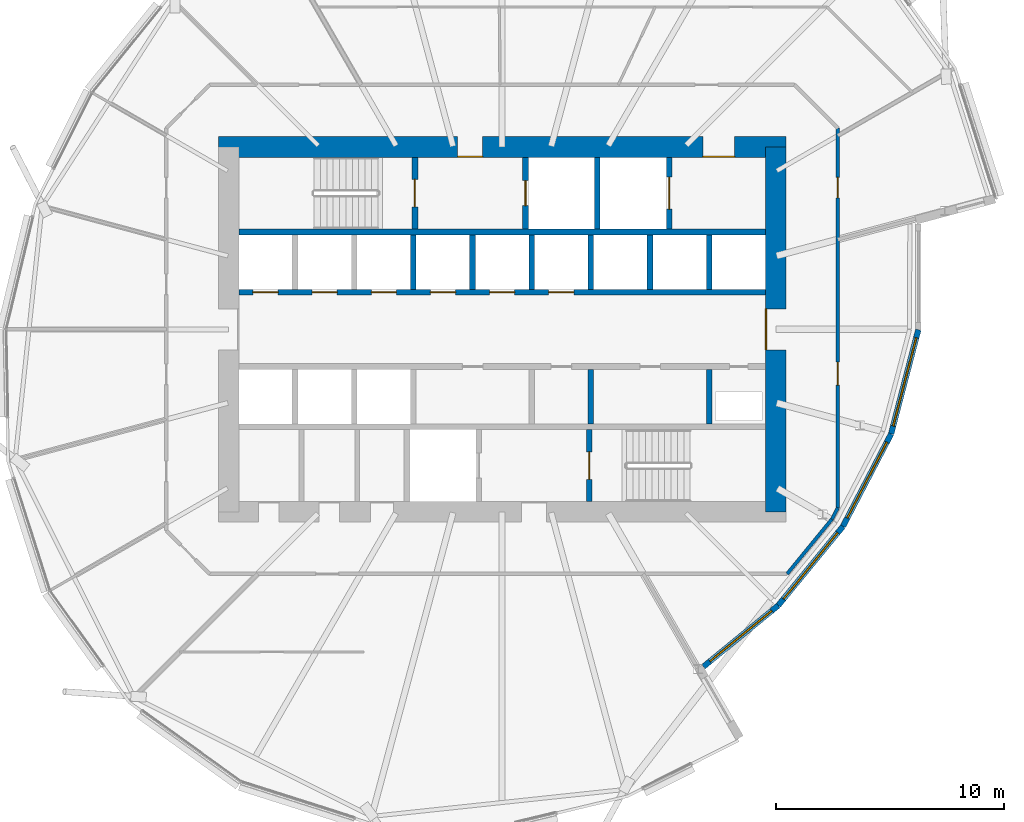
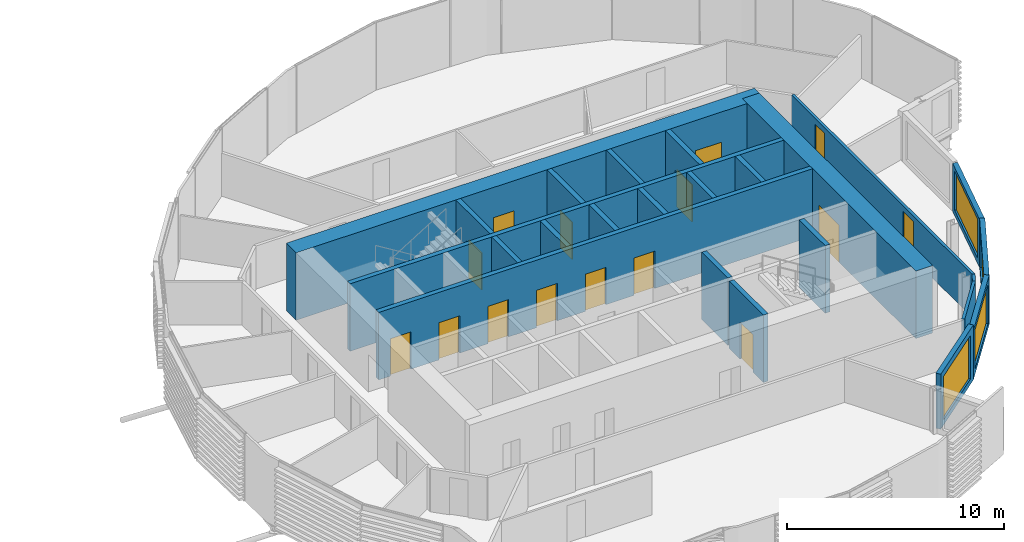
# One storey, part 25 of 37: 24 walls, 15 doors, 4 windows, 19 openings.
"""IFC4 building model written with IfcOpenShell, lengths in metres."""

from ifc_helpers import new_model, si_unit, direction, frame, frame_2d, origin, place, context, subcontext, project, spatial, rectangle, extrude, material, layer, layer_set, type_object, element, fill, save


model = new_model("IFC4")

# Units and contexts
model_context = context("Model", 3, precision=1e-05, world=origin(), true_north=direction((0.0, 1.0)))
body_context = subcontext(model_context, "Body", "Model", "MODEL_VIEW")
ifc_project = project(units=[si_unit("LENGTHUNIT", "METRE"), si_unit("AREAUNIT", "SQUARE_METRE"), si_unit("VOLUMEUNIT", "CUBIC_METRE"), si_unit("PLANEANGLEUNIT", "RADIAN"), si_unit("MASSUNIT", "GRAM", prefix="KILO")], contexts=[model_context])

# Site, building, storey
site_placement = place(None, origin())
site = spatial("IfcSite", under=ifc_project, at=site_placement, CompositionType="ELEMENT")
building_placement = place(site_placement, origin())
building = spatial("IfcBuilding", under=site, at=building_placement, Name="Rimbun Link Towers", CompositionType="ELEMENT")
storey_placement = place(building_placement, frame((0.0, 0.0, 60.39990234375)))
storey = spatial("IfcBuildingStorey", under=building, at=storey_placement, Name="L14", CompositionType="ELEMENT", Elevation=60.39990234375)

# Wall, opening, window
ifc_material_1 = material(Name="Dark enamelled glass spandrel on insulated aluminium backpan", Category="aluminium")
ifc_layer_1 = layer(ifc_material_1, 0.25)
ifc_layer_set_1 = layer_set([ifc_layer_1], Name="CS dark enamelled spandrel wall 250")
wall_type_1 = type_object("IfcWallType", Name="CS dark enamelled spandrel wall 250", PredefinedType="STANDARD", material=ifc_layer_set_1)
wall_1_placement = place(storey_placement, frame((43.859130859375, -12.109130859375, 0.0), z_axis=(0.0, 0.0, 1.0), x_axis=(-0.773862321131, -0.633353856809, 0.0)))
wall_1 = element("IfcWall", 1, at=wall_1_placement, inside=storey, type_object=wall_type_1, Name="Crease spandrel wall", PredefinedType="STANDARD", context=body_context, shape_type="SweptSolid", body=[
    extrude(rectangle(XDim=4.23779296875, YDim=0.25, at=frame_2d((2.118896484375, 0.0))), origin(), (0.0, 0.0, 1.0), 3.096923828125),
])
opening_1_placement = place(wall_1_placement, frame((0.368896484375, 0.0, 0.300048828125)))
opening_1 = element("IfcOpeningElement", 2, at=opening_1_placement, cuts=wall_1, Name="Opening WR35H245", PredefinedType="OPENING", context=body_context, shape_type="SweptSolid", body=[
    extrude(rectangle(XDim=3.5, YDim=2.449951171875, at=frame_2d((1.75, 1.22509765625))), frame((0.0, 0.135009765625, 0.0), z_axis=(0.0, -1.0, 0.0), x_axis=(1.0, 0.0, 0.0)), (0.0, 0.0, 1.0), 0.27001953125),
])
ifc_material_2 = material(Name="Aluminium framed fixed window, dark tinted low-e glass", Category="aluminium")
window_type_1 = type_object("IfcWindowType", Name="WR ribbon window 3500X2450", PartitioningType="SINGLE_PANEL", PredefinedType="WINDOW", material=ifc_material_2)
window_1_placement = place(opening_1_placement, origin())
window_1 = element("IfcWindow", 3, at=window_1_placement, inside=storey, type_object=window_type_1, Name="Crease ribbon window", OverallHeight=2.449951171875, OverallWidth=3.5, PartitioningType="SINGLE_PANEL", PredefinedType="WINDOW", context=body_context, shape_type="SweptSolid", body=[
    extrude(rectangle(XDim=3.5, YDim=2.449951171875, at=frame_2d((1.75, 1.22509765625))), frame((0.0, 0.030029296875, 0.0), z_axis=(0.0, -1.0, 0.0), x_axis=(1.0, 0.0, 0.0)), (0.0, 0.0, 1.0), 0.06005859375),
])
fill(opening_1, window_1)

wall_2_placement = place(storey_placement, frame((46.698974609375, -8.639404296875, 0.0), z_axis=(0.0, 0.0, 1.0), x_axis=(-0.633368246821, -0.773850543657, 0.0)))
wall_2 = element("IfcWall", 4, at=wall_2_placement, inside=storey, type_object=wall_type_1, Name="Crease spandrel wall", PredefinedType="STANDARD", context=body_context, shape_type="SweptSolid", body=[
    extrude(rectangle(XDim=4.483642578125, YDim=0.25, at=frame_2d((2.24169921875, 0.0))), origin(), (0.0, 0.0, 1.0), 2.78955078125),
])
opening_2_placement = place(wall_2_placement, frame((0.366943359375, 0.0, 0.300048828125)))
opening_2 = element("IfcOpeningElement", 5, at=opening_2_placement, cuts=wall_2, Name="Opening WR38H220", PredefinedType="OPENING", context=body_context, shape_type="SweptSolid", body=[
    extrude(rectangle(XDim=3.75, YDim=2.199951171875, at=frame_2d((1.875, 1.10009765625))), frame((0.0, 0.135009765625, 0.0), z_axis=(0.0, -1.0, 0.0), x_axis=(1.0, 0.0, 0.0)), (0.0, 0.0, 1.0), 0.27001953125),
])
ifc_material_3 = material(Name="Aluminium framed fixed window, dark tinted low-e glass", Category="aluminium")
window_type_2 = type_object("IfcWindowType", Name="WR ribbon window 3750X2200", PartitioningType="SINGLE_PANEL", PredefinedType="WINDOW", material=ifc_material_3)
window_2_placement = place(opening_2_placement, origin())
window_2 = element("IfcWindow", 6, at=window_2_placement, inside=storey, type_object=window_type_2, Name="Crease ribbon window", OverallHeight=2.199951171875, OverallWidth=3.75, PartitioningType="SINGLE_PANEL", PredefinedType="WINDOW", context=body_context, shape_type="SweptSolid", body=[
    extrude(rectangle(XDim=3.75, YDim=2.199951171875, at=frame_2d((1.875, 1.10009765625))), frame((0.0, 0.030029296875, 0.0), z_axis=(0.0, -1.0, 0.0), x_axis=(1.0, 0.0, 0.0)), (0.0, 0.0, 1.0), 0.06005859375),
])
fill(opening_2, window_2)

wall_3_placement = place(storey_placement, frame((48.811767578125, -4.58544921875, 0.0), z_axis=(0.0, 0.0, 1.0), x_axis=(-0.462168079919, -0.886792346552, 0.0)))
wall_3 = element("IfcWall", 7, at=wall_3_placement, inside=storey, type_object=wall_type_1, Name="Crease spandrel wall", PredefinedType="STANDARD", context=body_context, shape_type="SweptSolid", body=[
    extrude(rectangle(XDim=4.571533203125, YDim=0.25, at=frame_2d((2.28564453125, 0.0))), origin(), (0.0, 0.0, 1.0), 2.78955078125),
])
opening_3_placement = place(wall_3_placement, frame((0.41064453125, 0.0, 0.300048828125)))
opening_3 = element("IfcOpeningElement", 8, at=opening_3_placement, cuts=wall_3, Name="Opening WR38H220", PredefinedType="OPENING", context=body_context, shape_type="SweptSolid", body=[
    extrude(rectangle(XDim=3.75, YDim=2.199951171875, at=frame_2d((1.875, 1.10009765625))), frame((0.0, 0.135009765625, 0.0), z_axis=(0.0, -1.0, 0.0), x_axis=(1.0, 0.0, 0.0)), (0.0, 0.0, 1.0), 0.27001953125),
])
window_3_placement = place(opening_3_placement, origin())
window_3 = element("IfcWindow", 9, at=window_3_placement, inside=storey, type_object=window_type_2, Name="Crease ribbon window", OverallHeight=2.199951171875, OverallWidth=3.75, PartitioningType="SINGLE_PANEL", PredefinedType="WINDOW", context=body_context, shape_type="SweptSolid", body=[
    extrude(rectangle(XDim=3.75, YDim=2.199951171875, at=frame_2d((1.875, 1.10009765625))), frame((0.0, 0.030029296875, 0.0), z_axis=(0.0, -1.0, 0.0), x_axis=(1.0, 0.0, 0.0)), (0.0, 0.0, 1.0), 0.06005859375),
])
fill(opening_3, window_3)

wall_4_placement = place(storey_placement, frame((50.00537109375, -0.01611328125, 0.0), z_axis=(0.0, 0.0, 1.0), x_axis=(-0.252739651184, -0.967534324311, 0.0)))
wall_4 = element("IfcWall", 10, at=wall_4_placement, inside=storey, type_object=wall_type_1, Name="Crease spandrel wall", PredefinedType="STANDARD", context=body_context, shape_type="SweptSolid", body=[
    extrude(rectangle(XDim=4.72265625, YDim=0.25, at=frame_2d((2.361328125, 0.0))), origin(), (0.0, 0.0, 1.0), 2.711669921875),
])
opening_4_placement = place(wall_4_placement, frame((0.361328125, 0.0, 0.300048828125)))
opening_4 = element("IfcOpeningElement", 11, at=opening_4_placement, cuts=wall_4, Name="Opening WR40H220", PredefinedType="OPENING", context=body_context, shape_type="SweptSolid", body=[
    extrude(rectangle(XDim=4.0, YDim=2.199951171875, at=frame_2d((2.0, 1.10009765625))), frame((0.0, 0.135009765625, 0.0), z_axis=(0.0, -1.0, 0.0), x_axis=(1.0, 0.0, 0.0)), (0.0, 0.0, 1.0), 0.27001953125),
])
ifc_material_4 = material(Name="Aluminium framed fixed window, dark tinted low-e glass", Category="aluminium")
window_type_3 = type_object("IfcWindowType", Name="WR ribbon window 4000X2200", PartitioningType="SINGLE_PANEL", PredefinedType="WINDOW", material=ifc_material_4)
window_4_placement = place(opening_4_placement, origin())
window_4 = element("IfcWindow", 12, at=window_4_placement, inside=storey, type_object=window_type_3, Name="Crease ribbon window", OverallHeight=2.199951171875, OverallWidth=4.0, PartitioningType="SINGLE_PANEL", PredefinedType="WINDOW", context=body_context, shape_type="SweptSolid", body=[
    extrude(rectangle(XDim=4.0, YDim=2.199951171875, at=frame_2d((2.0, 1.10009765625))), frame((0.0, 0.030029296875, 0.0), z_axis=(0.0, -1.0, 0.0), x_axis=(1.0, 0.0, 0.0)), (0.0, 0.0, 1.0), 0.06005859375),
])
fill(opening_4, window_4)

# Wall, openings, doors
ifc_material_5 = material(Name="Concrete C60/75", Category="concrete")
ifc_layer_2 = layer(ifc_material_5, 0.89990234375)
ifc_layer_set_2 = layer_set([ifc_layer_2], Name="Core shear wall 900")
wall_type_2 = type_object("IfcWallType", Name="Core shear wall 900", PredefinedType="SHEAR", material=ifc_layer_set_2)
wall_5_placement = place(storey_placement, frame((19.300048828125, 8.0, 0.0), z_axis=(0.0, 0.0, 1.0), x_axis=(1.0, 0.0, 0.0)))
wall_5 = element("IfcWall", 13, at=wall_5_placement, inside=storey, type_object=wall_type_2, Name="L14 T2 core wall N", PredefinedType="SHEAR", context=body_context, shape_type="SweptSolid", body=[
    extrude(rectangle(XDim=24.89990234375, YDim=0.89990234375, at=frame_2d((12.449951171875, 0.0))), origin(), (0.0, 0.0, 1.0), 3.800048828125),
])
opening_5_placement = place(wall_5_placement, frame((10.5, 0.0, 0.0)))
opening_5 = element("IfcOpeningElement", 14, at=opening_5_placement, cuts=wall_5, Name="Opening C2DCF01N", PredefinedType="OPENING", context=body_context, shape_type="SweptSolid", body=[
    extrude(rectangle(XDim=1.10009765625, YDim=2.10009765625, at=frame_2d((0.550048828125, 1.050048828125))), frame((0.0, 0.4599609375, 0.0), z_axis=(0.0, -1.0, 0.0), x_axis=(1.0, 0.0, 0.0)), (0.0, 0.0, 1.0), 0.919921875),
])
opening_6_placement = place(wall_5_placement, frame((21.25, 0.0, 0.0)))
opening_6 = element("IfcOpeningElement", 15, at=opening_6_placement, cuts=wall_5, Name="Opening C2DSL02N", PredefinedType="OPENING", context=body_context, shape_type="SweptSolid", body=[
    extrude(rectangle(XDim=1.39990234375, YDim=2.10009765625, at=frame_2d((0.699951171875, 1.050048828125))), frame((0.0, 0.4599609375, 0.0), z_axis=(0.0, -1.0, 0.0), x_axis=(1.0, 0.0, 0.0)), (0.0, 0.0, 1.0), 0.919921875),
])
ifc_material_6 = material(Name="Steel fire door set", Category="steel")
door_type_1 = type_object("IfcDoorType", Name="Core fire door single", OperationType="SINGLE_SWING_LEFT", PredefinedType="DOOR", material=ifc_material_6)
door_1_placement = place(opening_5_placement, origin())
door_1 = element("IfcDoor", 16, at=door_1_placement, inside=storey, type_object=door_type_1, Name="L14 T2 firefighting lobby n door", OperationType="SINGLE_SWING_LEFT", OverallHeight=2.10009765625, OverallWidth=1.10009765625, PredefinedType="DOOR", context=body_context, shape_type="SweptSolid", body=[
    extrude(rectangle(XDim=1.10009765625, YDim=2.10009765625, at=frame_2d((0.550048828125, 1.050048828125))), frame((0.0, -0.39990234375, 0.0), z_axis=(0.0, -1.0, 0.0), x_axis=(1.0, 0.0, 0.0)), (0.0, 0.0, 1.0), 0.050048828125),
])
fill(opening_5, door_1)
ifc_material_7 = material(Name="Steel fire door set", Category="steel")
door_type_2 = type_object("IfcDoorType", Name="Service lobby door double", OperationType="DOUBLE_DOOR_SINGLE_SWING", PredefinedType="DOOR", material=ifc_material_7)
door_2_placement = place(opening_6_placement, origin())
door_2 = element("IfcDoor", 17, at=door_2_placement, inside=storey, type_object=door_type_2, Name="L14 T2 service lobby door", OperationType="DOUBLE_DOOR_SINGLE_SWING", OverallHeight=2.10009765625, OverallWidth=1.39990234375, PredefinedType="DOOR", context=body_context, shape_type="SweptSolid", body=[
    extrude(rectangle(XDim=1.39990234375, YDim=2.10009765625, at=frame_2d((0.699951171875, 1.050048828125))), frame((0.0, -0.39990234375, 0.0), z_axis=(0.0, -1.0, 0.0), x_axis=(1.0, 0.0, 0.0)), (0.0, 0.0, 1.0), 0.050048828125),
])
fill(opening_6, door_2)

# Wall, opening, door
wall_6_placement = place(storey_placement, frame((43.75, -8.0, 0.0), z_axis=(0.0, 0.0, 1.0), x_axis=(0.0, 1.0, 0.0)))
wall_6 = element("IfcWall", 18, at=wall_6_placement, inside=storey, type_object=wall_type_2, Name="L14 T2 core wall E", PredefinedType="SHEAR", context=body_context, shape_type="SweptSolid", body=[
    extrude(rectangle(XDim=16.0, YDim=0.89990234375, at=frame_2d((8.0, 0.0))), origin(), (0.0, 0.0, 1.0), 3.800048828125),
])
opening_7_placement = place(wall_6_placement, frame((7.10009765625, 0.0, 0.0)))
opening_7 = element("IfcOpeningElement", 19, at=opening_7_placement, cuts=wall_6, Name="Opening C2DCL01E", PredefinedType="OPENING", context=body_context, shape_type="SweptSolid", body=[
    extrude(rectangle(XDim=1.800048828125, YDim=2.10009765625, at=frame_2d((0.89990234375, 1.050048828125))), frame((0.0, 0.4599609375, 0.0), z_axis=(0.0, -1.0, 0.0), x_axis=(1.0, 0.0, 0.0)), (0.0, 0.0, 1.0), 0.919921875),
])
ifc_material_8 = material(Name="Steel fire door set", Category="steel")
door_type_3 = type_object("IfcDoorType", Name="Core lobby door double", OperationType="DOUBLE_DOOR_SINGLE_SWING", PredefinedType="DOOR", material=ifc_material_8)
door_3_placement = place(opening_7_placement, origin())
door_3 = element("IfcDoor", 20, at=door_3_placement, inside=storey, type_object=door_type_3, Name="L14 T2 lift lobby door", OperationType="DOUBLE_DOOR_SINGLE_SWING", OverallHeight=2.10009765625, OverallWidth=1.800048828125, PredefinedType="DOOR", context=body_context, shape_type="SweptSolid", body=[
    extrude(rectangle(XDim=1.800048828125, YDim=2.10009765625, at=frame_2d((0.89990234375, 1.050048828125))), frame((0.0, 0.4501953125, 0.0), z_axis=(0.0, -1.0, 0.0), x_axis=(1.0, 0.0, 0.0)), (0.0, 0.0, 1.0), 0.050048828125),
])
fill(opening_7, door_3)

# Wall, openings, doors
ifc_material_9 = material(Name="Plasterboard on steel stud, mineral wool", Category="steel")
ifc_layer_3 = layer(ifc_material_9, 0.14990234375)
ifc_layer_set_3 = layer_set([ifc_layer_3], Name="Corridor wall EI 30 150 mm")
wall_type_3 = type_object("IfcWallType", Name="Corridor wall EI 30 150 mm", PredefinedType="PARTITIONING", material=ifc_layer_set_3)
wall_7_placement = place(storey_placement, frame((46.47509765625, 8.82666015625, 0.0), z_axis=(0.0, 0.0, 1.0), x_axis=(0.0, -1.0, 0.0)))
wall_7 = element("IfcWall", 21, at=wall_7_placement, inside=storey, type_object=wall_type_3, Name="Corridor wall EI 30 150 mm", PredefinedType="PARTITIONING", context=body_context, shape_type="SweptSolid", body=[
    extrude(rectangle(XDim=16.651611328125, YDim=0.14990234375, at=frame_2d((8.32568359375, 0.0))), origin(), (0.0, 0.0, 1.0), 2.420166015625),
])
opening_8_placement = place(wall_7_placement, frame((2.1533203125, 0.0, 0.0)))
opening_8 = element("IfcOpeningElement", 22, at=opening_8_placement, cuts=wall_7, Name="Opening D02", PredefinedType="OPENING", context=body_context, shape_type="SweptSolid", body=[
    extrude(rectangle(XDim=0.89990234375, YDim=2.10009765625, at=frame_2d((0.449951171875, 1.050048828125))), frame((0.0, 0.0849609375, 0.0), z_axis=(0.0, -1.0, 0.0), x_axis=(1.0, 0.0, 0.0)), (0.0, 0.0, 1.0), 0.169921875),
])
opening_9_placement = place(wall_7_placement, frame((10.266357421875, 0.0, 0.0)))
opening_9 = element("IfcOpeningElement", 23, at=opening_9_placement, cuts=wall_7, Name="Opening D01", PredefinedType="OPENING", context=body_context, shape_type="SweptSolid", body=[
    extrude(rectangle(XDim=1.0, YDim=2.10009765625, at=frame_2d((0.5, 1.050048828125))), frame((0.0, 0.0849609375, 0.0), z_axis=(0.0, -1.0, 0.0), x_axis=(1.0, 0.0, 0.0)), (0.0, 0.0, 1.0), 0.169921875),
])
ifc_material_10 = material(Name="Fire-resisting timber door leaf", Category="wood")
door_type_4 = type_object("IfcDoorType", Name="Fire door FD30S 1000", OperationType="NOTDEFINED", PredefinedType="DOOR", material=ifc_material_10)
door_4_placement = place(opening_9_placement, origin())
door_4 = element("IfcDoor", 24, at=door_4_placement, inside=storey, type_object=door_type_4, Name="Fire door FD30S 1000 to Terrace office", OperationType="SINGLE_SWING_LEFT", OverallHeight=2.10009765625, OverallWidth=1.0, PredefinedType="DOOR", context=body_context, shape_type="SweptSolid", body=[
    extrude(rectangle(XDim=1.0, YDim=2.10009765625, at=frame_2d((0.5, 1.050048828125))), frame((0.0, 0.02490234375, 0.0), z_axis=(0.0, -1.0, 0.0), x_axis=(1.0, 0.0, 0.0)), (0.0, 0.0, 1.0), 0.050048828125),
])
fill(opening_9, door_4)
ifc_material_11 = material(Name="Fire-resisting timber door leaf", Category="wood")
door_type_5 = type_object("IfcDoorType", Name="Fire door FD30S 900", OperationType="NOTDEFINED", PredefinedType="DOOR", material=ifc_material_11)
door_5_placement = place(opening_8_placement, origin())
door_5 = element("IfcDoor", 25, at=door_5_placement, inside=storey, type_object=door_type_5, Name="Fire door FD30S 900 to Print room", OperationType="SINGLE_SWING_LEFT", OverallHeight=2.10009765625, OverallWidth=0.89990234375, PredefinedType="DOOR", context=body_context, shape_type="SweptSolid", body=[
    extrude(rectangle(XDim=0.89990234375, YDim=2.10009765625, at=frame_2d((0.449951171875, 1.050048828125))), frame((0.0, 0.02490234375, 0.0), z_axis=(0.0, -1.0, 0.0), x_axis=(1.0, 0.0, 0.0)), (0.0, 0.0, 1.0), 0.050048828125),
])
fill(opening_8, door_5)

# Walls
wall_8_placement = place(storey_placement, frame((46.21630859375, -8.321044921875, 0.0), z_axis=(0.0, 0.0, 1.0), x_axis=(0.462506359197, 0.886615964046, 0.0)))
element("IfcWall", 26, at=wall_8_placement, inside=storey, type_object=wall_type_3, Name="Corridor wall EI 30 150 mm", PredefinedType="PARTITIONING", context=body_context, shape_type="SweptSolid", body=[
    extrude(rectangle(XDim=0.5595703125, YDim=0.14990234375, at=frame_2d((0.27978515625, 0.0))), origin(), (0.0, 0.0, 1.0), 2.420166015625),
])
wall_9_placement = place(storey_placement, frame((44.248779296875, -10.72509765625, 0.0), z_axis=(0.0, 0.0, 1.0), x_axis=(0.63334905334, 0.773866252419, 0.0)))
element("IfcWall", 27, at=wall_9_placement, inside=storey, type_object=wall_type_3, Name="Corridor wall EI 30 150 mm", PredefinedType="PARTITIONING", context=body_context, shape_type="SweptSolid", body=[
    extrude(rectangle(XDim=3.1064453125, YDim=0.14990234375, at=frame_2d((1.55322265625, 0.0))), origin(), (0.0, 0.0, 1.0), 2.420166015625),
])
ifc_material_12 = material(Name="Concrete C60/75", Category="concrete")
ifc_layer_4 = layer(ifc_material_12, 0.25)
ifc_layer_set_4 = layer_set([ifc_layer_4], Name="Shaft wall 250")
wall_type_4 = type_object("IfcWallType", Name="Shaft wall 250", PredefinedType="SHEAR", material=ifc_layer_set_4)
wall_10_placement = place(storey_placement, frame((20.199951171875, 4.27490234375, 0.0), z_axis=(0.0, 0.0, 1.0), x_axis=(1.0, 0.0, 0.0)))
element("IfcWall", 28, at=wall_10_placement, inside=storey, type_object=wall_type_4, Name="L14 T2 core wall BN", PredefinedType="SHEAR", context=body_context, shape_type="SweptSolid", body=[
    extrude(rectangle(XDim=23.10009765625, YDim=0.25, at=frame_2d((11.550048828125, 0.0))), origin(), (0.0, 0.0, 1.0), 3.800048828125),
])

# Wall, openings, doors
wall_11_placement = place(storey_placement, frame((20.199951171875, 1.625, 0.0), z_axis=(0.0, 0.0, 1.0), x_axis=(1.0, 0.0, 0.0)))
wall_11 = element("IfcWall", 29, at=wall_11_placement, inside=storey, type_object=wall_type_4, Name="L14 T2 core wall FN", PredefinedType="SHEAR", context=body_context, shape_type="SweptSolid", body=[
    extrude(rectangle(XDim=23.10009765625, YDim=0.25, at=frame_2d((11.550048828125, 0.0))), origin(), (0.0, 0.0, 1.0), 3.800048828125),
])
opening_10_placement = place(wall_11_placement, frame((0.622314453125, 0.0, 0.0)))
opening_10 = element("IfcOpeningElement", 30, at=opening_10_placement, cuts=wall_11, Name="Opening LD-T2-LR1", PredefinedType="OPENING", context=body_context, shape_type="SweptSolid", body=[
    extrude(rectangle(XDim=1.10009765625, YDim=2.10009765625, at=frame_2d((0.550048828125, 1.050048828125))), frame((0.0, 0.135009765625, 0.0), z_axis=(0.0, -1.0, 0.0), x_axis=(1.0, 0.0, 0.0)), (0.0, 0.0, 1.0), 0.27001953125),
])
opening_11_placement = place(wall_11_placement, frame((3.216796875, 0.0, 0.0)))
opening_11 = element("IfcOpeningElement", 31, at=opening_11_placement, cuts=wall_11, Name="Opening LD-T2-LR2", PredefinedType="OPENING", context=body_context, shape_type="SweptSolid", body=[
    extrude(rectangle(XDim=1.10009765625, YDim=2.10009765625, at=frame_2d((0.550048828125, 1.050048828125))), frame((0.0, 0.135009765625, 0.0), z_axis=(0.0, -1.0, 0.0), x_axis=(1.0, 0.0, 0.0)), (0.0, 0.0, 1.0), 0.27001953125),
])
opening_12_placement = place(wall_11_placement, frame((5.81103515625, 0.0, 0.0)))
opening_12 = element("IfcOpeningElement", 32, at=opening_12_placement, cuts=wall_11, Name="Opening LD-T2-LR3", PredefinedType="OPENING", context=body_context, shape_type="SweptSolid", body=[
    extrude(rectangle(XDim=1.10009765625, YDim=2.10009765625, at=frame_2d((0.550048828125, 1.050048828125))), frame((0.0, 0.135009765625, 0.0), z_axis=(0.0, -1.0, 0.0), x_axis=(1.0, 0.0, 0.0)), (0.0, 0.0, 1.0), 0.27001953125),
])
opening_13_placement = place(wall_11_placement, frame((8.405517578125, 0.0, 0.0)))
opening_13 = element("IfcOpeningElement", 33, at=opening_13_placement, cuts=wall_11, Name="Opening LD-T2-LR4", PredefinedType="OPENING", context=body_context, shape_type="SweptSolid", body=[
    extrude(rectangle(XDim=1.10009765625, YDim=2.10009765625, at=frame_2d((0.550048828125, 1.050048828125))), frame((0.0, 0.135009765625, 0.0), z_axis=(0.0, -1.0, 0.0), x_axis=(1.0, 0.0, 0.0)), (0.0, 0.0, 1.0), 0.27001953125),
])
opening_14_placement = place(wall_11_placement, frame((11.0, 0.0, 0.0)))
opening_14 = element("IfcOpeningElement", 34, at=opening_14_placement, cuts=wall_11, Name="Opening LD-T2-LR5", PredefinedType="OPENING", context=body_context, shape_type="SweptSolid", body=[
    extrude(rectangle(XDim=1.10009765625, YDim=2.10009765625, at=frame_2d((0.550048828125, 1.050048828125))), frame((0.0, 0.135009765625, 0.0), z_axis=(0.0, -1.0, 0.0), x_axis=(1.0, 0.0, 0.0)), (0.0, 0.0, 1.0), 0.27001953125),
])
opening_15_placement = place(wall_11_placement, frame((13.594482421875, 0.0, 0.0)))
opening_15 = element("IfcOpeningElement", 35, at=opening_15_placement, cuts=wall_11, Name="Opening LD-T2-LR6", PredefinedType="OPENING", context=body_context, shape_type="SweptSolid", body=[
    extrude(rectangle(XDim=1.10009765625, YDim=2.10009765625, at=frame_2d((0.550048828125, 1.050048828125))), frame((0.0, 0.135009765625, 0.0), z_axis=(0.0, -1.0, 0.0), x_axis=(1.0, 0.0, 0.0)), (0.0, 0.0, 1.0), 0.27001953125),
])
ifc_material_13 = material(Name="Stainless steel grade 316", Category="steel")
door_type_6 = type_object("IfcDoorType", Name="Lift landing door", OperationType="DOUBLE_DOOR_SLIDING", PredefinedType="DOOR", material=ifc_material_13)
door_6_placement = place(opening_10_placement, origin())
door_6 = element("IfcDoor", 36, at=door_6_placement, inside=storey, type_object=door_type_6, Name="L14 T2 lift LR1 landing door", OperationType="DOUBLE_DOOR_SLIDING", OverallHeight=2.10009765625, OverallWidth=1.10009765625, PredefinedType="DOOR", context=body_context, shape_type="SweptSolid", body=[
    extrude(rectangle(XDim=1.10009765625, YDim=2.10009765625, at=frame_2d((0.550048828125, 1.050048828125))), frame((0.0, 0.02490234375, 0.0), z_axis=(0.0, -1.0, 0.0), x_axis=(1.0, 0.0, 0.0)), (0.0, 0.0, 1.0), 0.050048828125),
])
fill(opening_10, door_6)
door_7_placement = place(opening_11_placement, origin())
door_7 = element("IfcDoor", 37, at=door_7_placement, inside=storey, type_object=door_type_6, Name="L14 T2 lift LR2 landing door", OperationType="DOUBLE_DOOR_SLIDING", OverallHeight=2.10009765625, OverallWidth=1.10009765625, PredefinedType="DOOR", context=body_context, shape_type="SweptSolid", body=[
    extrude(rectangle(XDim=1.10009765625, YDim=2.10009765625, at=frame_2d((0.550048828125, 1.050048828125))), frame((0.0, 0.02490234375, 0.0), z_axis=(0.0, -1.0, 0.0), x_axis=(1.0, 0.0, 0.0)), (0.0, 0.0, 1.0), 0.050048828125),
])
fill(opening_11, door_7)
door_8_placement = place(opening_12_placement, origin())
door_8 = element("IfcDoor", 38, at=door_8_placement, inside=storey, type_object=door_type_6, Name="L14 T2 lift LR3 landing door", OperationType="DOUBLE_DOOR_SLIDING", OverallHeight=2.10009765625, OverallWidth=1.10009765625, PredefinedType="DOOR", context=body_context, shape_type="SweptSolid", body=[
    extrude(rectangle(XDim=1.10009765625, YDim=2.10009765625, at=frame_2d((0.550048828125, 1.050048828125))), frame((0.0, 0.02490234375, 0.0), z_axis=(0.0, -1.0, 0.0), x_axis=(1.0, 0.0, 0.0)), (0.0, 0.0, 1.0), 0.050048828125),
])
fill(opening_12, door_8)
door_9_placement = place(opening_13_placement, origin())
door_9 = element("IfcDoor", 39, at=door_9_placement, inside=storey, type_object=door_type_6, Name="L14 T2 lift LR4 landing door", OperationType="DOUBLE_DOOR_SLIDING", OverallHeight=2.10009765625, OverallWidth=1.10009765625, PredefinedType="DOOR", context=body_context, shape_type="SweptSolid", body=[
    extrude(rectangle(XDim=1.10009765625, YDim=2.10009765625, at=frame_2d((0.550048828125, 1.050048828125))), frame((0.0, 0.02490234375, 0.0), z_axis=(0.0, -1.0, 0.0), x_axis=(1.0, 0.0, 0.0)), (0.0, 0.0, 1.0), 0.050048828125),
])
fill(opening_13, door_9)
door_10_placement = place(opening_14_placement, origin())
door_10 = element("IfcDoor", 40, at=door_10_placement, inside=storey, type_object=door_type_6, Name="L14 T2 lift LR5 landing door", OperationType="DOUBLE_DOOR_SLIDING", OverallHeight=2.10009765625, OverallWidth=1.10009765625, PredefinedType="DOOR", context=body_context, shape_type="SweptSolid", body=[
    extrude(rectangle(XDim=1.10009765625, YDim=2.10009765625, at=frame_2d((0.550048828125, 1.050048828125))), frame((0.0, 0.02490234375, 0.0), z_axis=(0.0, -1.0, 0.0), x_axis=(1.0, 0.0, 0.0)), (0.0, 0.0, 1.0), 0.050048828125),
])
fill(opening_14, door_10)
door_11_placement = place(opening_15_placement, origin())
door_11 = element("IfcDoor", 41, at=door_11_placement, inside=storey, type_object=door_type_6, Name="L14 T2 lift LR6 landing door", OperationType="DOUBLE_DOOR_SLIDING", OverallHeight=2.10009765625, OverallWidth=1.10009765625, PredefinedType="DOOR", context=body_context, shape_type="SweptSolid", body=[
    extrude(rectangle(XDim=1.10009765625, YDim=2.10009765625, at=frame_2d((0.550048828125, 1.050048828125))), frame((0.0, 0.02490234375, 0.0), z_axis=(0.0, -1.0, 0.0), x_axis=(1.0, 0.0, 0.0)), (0.0, 0.0, 1.0), 0.050048828125),
])
fill(opening_15, door_11)

# Walls
for number, where, z_axis, x_axis, name in (
    (42, (27.8583984375, 1.75, 0.0), (0.0, 0.0, 1.0), (0.0, 1.0, 0.0), "L14 T2 core wall DN2"),
    (43, (30.452880859375, 1.75, 0.0), (0.0, 0.0, 1.0), (0.0, 1.0, 0.0), "L14 T2 core wall DN3"),
    (44, (33.047119140625, 1.75, 0.0), (0.0, 0.0, 1.0), (0.0, 1.0, 0.0), "L14 T2 core wall DN4"),
    (45, (35.6416015625, 1.75, 0.0), (0.0, 0.0, 1.0), (0.0, 1.0, 0.0), "L14 T2 core wall DN5"),
    (46, (38.236083984375, 1.75, 0.0), (0.0, 0.0, 1.0), (0.0, 1.0, 0.0), "L14 T2 core wall DN6"),
    (47, (40.83056640625, 1.75, 0.0), (0.0, 0.0, 1.0), (0.0, 1.0, 0.0), "L14 T2 core wall DN7"),
    (48, (35.6416015625, -4.14990234375, 0.0), (0.0, 0.0, 1.0), (0.0, 1.0, 0.0), "L14 T2 core wall DS5"),
    (49, (40.83056640625, -4.14990234375, 0.0), (0.0, 0.0, 1.0), (0.0, 1.0, 0.0), "L14 T2 core wall DS7"),
):
    element("IfcWall", number, at=place(storey_placement, frame(where, z_axis=z_axis, x_axis=x_axis)), inside=storey, type_object=wall_type_4, Name=name, PredefinedType="SHEAR", context=body_context, shape_type="SweptSolid", body=[
        extrude(rectangle(XDim=2.39990234375, YDim=0.25, at=frame_2d((1.199951171875, 0.0))), origin(), (0.0, 0.0, 1.0), 3.800048828125),
    ])

# Wall, opening, door
wall_12_placement = place(storey_placement, frame((27.925048828125, 4.39990234375, 0.0), z_axis=(0.0, 0.0, 1.0), x_axis=(0.0, 1.0, 0.0)))
wall_12 = element("IfcWall", 50, at=wall_12_placement, inside=storey, type_object=wall_type_4, Name="L14 T2 core wall A1", PredefinedType="SHEAR", context=body_context, shape_type="SweptSolid", body=[
    extrude(rectangle(XDim=3.150146484375, YDim=0.25, at=frame_2d((1.5751953125, 0.0))), origin(), (0.0, 0.0, 1.0), 3.800048828125),
])
opening_16_placement = place(wall_12_placement, frame((0.97509765625, 0.0, 0.0)))
opening_16 = element("IfcOpeningElement", 51, at=opening_16_placement, cuts=wall_12, Name="Opening C2DST01A1", PredefinedType="OPENING", context=body_context, shape_type="SweptSolid", body=[
    extrude(rectangle(XDim=1.199951171875, YDim=2.10009765625, at=frame_2d((0.60009765625, 1.050048828125))), frame((0.0, 0.135009765625, 0.0), z_axis=(0.0, -1.0, 0.0), x_axis=(1.0, 0.0, 0.0)), (0.0, 0.0, 1.0), 0.27001953125),
])
ifc_material_14 = material(Name="Steel fire door set", Category="steel")
door_type_7 = type_object("IfcDoorType", Name="Stair door", OperationType="SINGLE_SWING_LEFT", PredefinedType="DOOR", material=ifc_material_14)
door_12_placement = place(opening_16_placement, origin())
door_12 = element("IfcDoor", 52, at=door_12_placement, inside=storey, type_object=door_type_7, Name="L14 T2 stair a door", OperationType="SINGLE_SWING_RIGHT", OverallHeight=2.10009765625, OverallWidth=1.199951171875, PredefinedType="DOOR", context=body_context, shape_type="SweptSolid", body=[
    extrude(rectangle(XDim=1.199951171875, YDim=2.10009765625, at=frame_2d((0.60009765625, 1.050048828125))), frame((0.0, 0.02490234375, 0.0), z_axis=(0.0, -1.0, 0.0), x_axis=(1.0, 0.0, 0.0)), (0.0, 0.0, 1.0), 0.050048828125),
])
fill(opening_16, door_12)

wall_13_placement = place(storey_placement, frame((32.77490234375, 4.39990234375, 0.0), z_axis=(0.0, 0.0, 1.0), x_axis=(0.0, 1.0, 0.0)))
wall_13 = element("IfcWall", 53, at=wall_13_placement, inside=storey, type_object=wall_type_4, Name="L14 T2 core wall A2", PredefinedType="SHEAR", context=body_context, shape_type="SweptSolid", body=[
    extrude(rectangle(XDim=3.150146484375, YDim=0.25, at=frame_2d((1.5751953125, 0.0))), origin(), (0.0, 0.0, 1.0), 3.800048828125),
])
opening_17_placement = place(wall_13_placement, frame((1.02490234375, 0.0, 0.0)))
opening_17 = element("IfcOpeningElement", 54, at=opening_17_placement, cuts=wall_13, Name="Opening LD-T2-FF1", PredefinedType="OPENING", context=body_context, shape_type="SweptSolid", body=[
    extrude(rectangle(XDim=1.10009765625, YDim=2.10009765625, at=frame_2d((0.550048828125, 1.050048828125))), frame((0.0, 0.135009765625, 0.0), z_axis=(0.0, -1.0, 0.0), x_axis=(1.0, 0.0, 0.0)), (0.0, 0.0, 1.0), 0.27001953125),
])
door_13_placement = place(opening_17_placement, origin())
door_13 = element("IfcDoor", 55, at=door_13_placement, inside=storey, type_object=door_type_6, Name="L14 T2 lift FF1 landing door", OperationType="DOUBLE_DOOR_SLIDING", OverallHeight=2.10009765625, OverallWidth=1.10009765625, PredefinedType="DOOR", context=body_context, shape_type="SweptSolid", body=[
    extrude(rectangle(XDim=1.10009765625, YDim=2.10009765625, at=frame_2d((0.550048828125, 1.050048828125))), frame((0.0, 0.02490234375, 0.0), z_axis=(0.0, -1.0, 0.0), x_axis=(1.0, 0.0, 0.0)), (0.0, 0.0, 1.0), 0.050048828125),
])
fill(opening_17, door_13)

# Wall
wall_14_placement = place(storey_placement, frame((35.925048828125, 4.39990234375, 0.0), z_axis=(0.0, 0.0, 1.0), x_axis=(0.0, 1.0, 0.0)))
element("IfcWall", 56, at=wall_14_placement, inside=storey, type_object=wall_type_4, Name="L14 T2 core wall A3", PredefinedType="SHEAR", context=body_context, shape_type="SweptSolid", body=[
    extrude(rectangle(XDim=3.150146484375, YDim=0.25, at=frame_2d((1.5751953125, 0.0))), origin(), (0.0, 0.0, 1.0), 3.800048828125),
])

# Wall, opening, door
wall_15_placement = place(storey_placement, frame((39.074951171875, 4.39990234375, 0.0), z_axis=(0.0, 0.0, 1.0), x_axis=(0.0, 1.0, 0.0)))
wall_15 = element("IfcWall", 57, at=wall_15_placement, inside=storey, type_object=wall_type_4, Name="L14 T2 core wall A4", PredefinedType="SHEAR", context=body_context, shape_type="SweptSolid", body=[
    extrude(rectangle(XDim=3.150146484375, YDim=0.25, at=frame_2d((1.5751953125, 0.0))), origin(), (0.0, 0.0, 1.0), 3.800048828125),
])
opening_18_placement = place(wall_15_placement, frame((0.875, 0.0, 0.0)))
opening_18 = element("IfcOpeningElement", 58, at=opening_18_placement, cuts=wall_15, Name="Opening LD-T2-GL1", PredefinedType="OPENING", context=body_context, shape_type="SweptSolid", body=[
    extrude(rectangle(XDim=1.39990234375, YDim=2.10009765625, at=frame_2d((0.699951171875, 1.050048828125))), frame((0.0, 0.135009765625, 0.0), z_axis=(0.0, -1.0, 0.0), x_axis=(1.0, 0.0, 0.0)), (0.0, 0.0, 1.0), 0.27001953125),
])
ifc_material_15 = material(Name="Stainless steel grade 316", Category="steel")
door_type_8 = type_object("IfcDoorType", Name="Goods lift landing door", OperationType="DOUBLE_DOOR_SLIDING", PredefinedType="DOOR", material=ifc_material_15)
door_14_placement = place(opening_18_placement, origin())
door_14 = element("IfcDoor", 59, at=door_14_placement, inside=storey, type_object=door_type_8, Name="L14 T2 lift GL1 landing door", OperationType="DOUBLE_DOOR_SLIDING", OverallHeight=2.10009765625, OverallWidth=1.39990234375, PredefinedType="DOOR", context=body_context, shape_type="SweptSolid", body=[
    extrude(rectangle(XDim=1.39990234375, YDim=2.10009765625, at=frame_2d((0.699951171875, 1.050048828125))), frame((0.0, 0.02490234375, 0.0), z_axis=(0.0, -1.0, 0.0), x_axis=(1.0, 0.0, 0.0)), (0.0, 0.0, 1.0), 0.050048828125),
])
fill(opening_18, door_14)

wall_16_placement = place(storey_placement, frame((35.574951171875, -4.39990234375, 0.0), z_axis=(0.0, 0.0, 1.0), x_axis=(0.0, -1.0, 0.0)))
wall_16 = element("IfcWall", 60, at=wall_16_placement, inside=storey, type_object=wall_type_4, Name="L14 T2 core wall B1", PredefinedType="SHEAR", context=body_context, shape_type="SweptSolid", body=[
    extrude(rectangle(XDim=3.150146484375, YDim=0.25, at=frame_2d((1.5751953125, 0.0))), origin(), (0.0, 0.0, 1.0), 3.800048828125),
])
opening_19_placement = place(wall_16_placement, frame((0.97509765625, 0.0, 0.0)))
opening_19 = element("IfcOpeningElement", 61, at=opening_19_placement, cuts=wall_16, Name="Opening C2DST01B1", PredefinedType="OPENING", context=body_context, shape_type="SweptSolid", body=[
    extrude(rectangle(XDim=1.199951171875, YDim=2.10009765625, at=frame_2d((0.60009765625, 1.050048828125))), frame((0.0, 0.135009765625, 0.0), z_axis=(0.0, -1.0, 0.0), x_axis=(1.0, 0.0, 0.0)), (0.0, 0.0, 1.0), 0.27001953125),
])
door_15_placement = place(opening_19_placement, origin())
door_15 = element("IfcDoor", 62, at=door_15_placement, inside=storey, type_object=door_type_7, Name="L14 T2 stair b door", OperationType="SINGLE_SWING_LEFT", OverallHeight=2.10009765625, OverallWidth=1.199951171875, PredefinedType="DOOR", context=body_context, shape_type="SweptSolid", body=[
    extrude(rectangle(XDim=1.199951171875, YDim=2.10009765625, at=frame_2d((0.60009765625, 1.050048828125))), frame((0.0, 0.02490234375, 0.0), z_axis=(0.0, -1.0, 0.0), x_axis=(1.0, 0.0, 0.0)), (0.0, 0.0, 1.0), 0.050048828125),
])
fill(opening_19, door_15)

save(model, "model.ifc")
